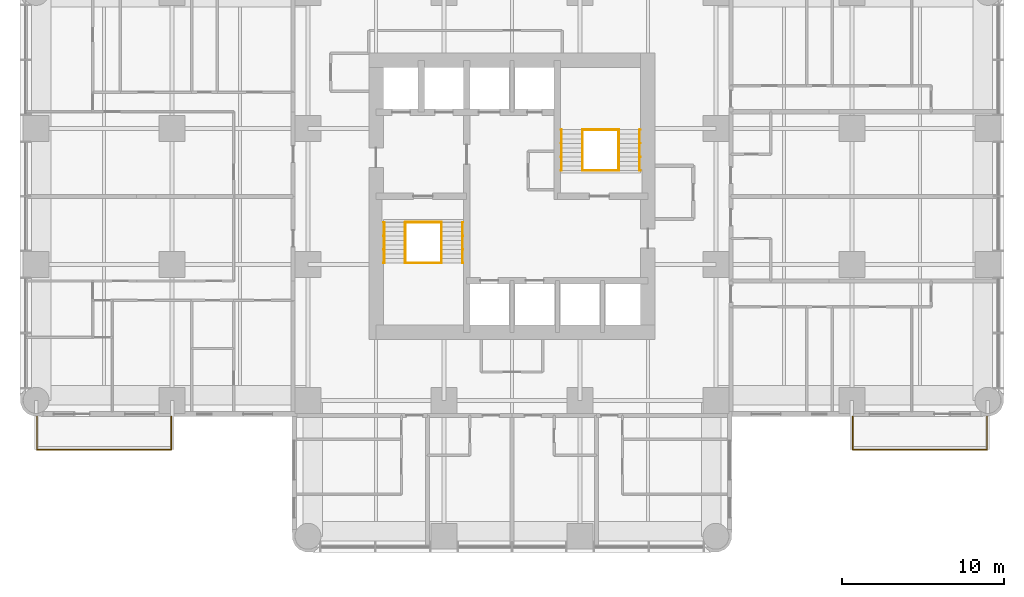
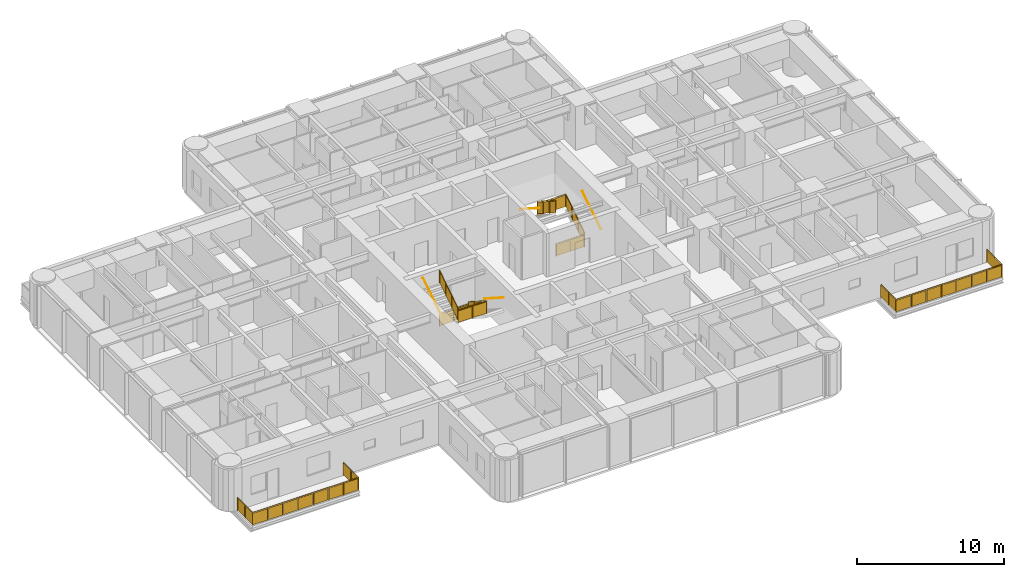
# One storey, part 13 of 14: 14 railings.
"""IFC4 building model written with IfcOpenShell, lengths in metres."""

from ifc_helpers import new_model, si_unit, direction, frame, origin, origin_2d, place, context, subcontext, project, spatial, polyline, circle, outline, extrude, material, constituent, constituent_set, type_object, element, save


model = new_model("IFC4")

# Units and contexts
model_context = context("Model", 3, precision=1e-05, world=origin(), true_north=direction((0.0, 1.0)))
body_context = subcontext(model_context, "Body", "Model", "MODEL_VIEW")
ifc_project = project(units=[si_unit("LENGTHUNIT", "METRE"), si_unit("AREAUNIT", "SQUARE_METRE"), si_unit("VOLUMEUNIT", "CUBIC_METRE"), si_unit("PLANEANGLEUNIT", "RADIAN"), si_unit("MASSUNIT", "GRAM", prefix="KILO")], contexts=[model_context])

# Site, building, storey
site_placement = place(None, origin())
site = spatial("IfcSite", under=ifc_project, at=site_placement, CompositionType="ELEMENT")
building_placement = place(site_placement, origin())
building = spatial("IfcBuilding", under=site, at=building_placement, Name="Torre Alcanfor", CompositionType="ELEMENT")
storey_placement = place(building_placement, frame((0.0, 0.0, 155.699951171875)))
storey = spatial("IfcBuildingStorey", under=building, at=storey_placement, Name="L40", CompositionType="ELEMENT", Elevation=155.699951171875)

# Railings
ifc_material_1 = material(Name="Laminated safety glass", Category="glass")
ifc_constituent_1 = constituent(ifc_material_1, Name="Infill")
ifc_material_2 = material(Name="Stainless steel ASTM A554 Grade MT 316L tube", Category="steel")
ifc_constituent_2 = constituent(ifc_material_2, Name="Posts and rail")
ifc_constituent_set = constituent_set(constituents=[ifc_constituent_1, ifc_constituent_2], Name="Balcony guard glass 1100")
railing_type_1 = type_object("IfcRailingType", Name="Balcony guard glass 1100", PredefinedType="BALUSTRADE", material=ifc_constituent_set)
railing_1_placement = place(storey_placement, frame((50.449951171875, 15.800048828125, 0.0)))
element("IfcRailing", 1, at=railing_1_placement, inside=storey, type_object=railing_type_1, Name="Balcony guard L40-E2", PredefinedType="BALUSTRADE", context=body_context, shape_type="SweptSolid", body=[
    extrude(circle(Radius=0.02392578125, at=origin_2d()), frame((0.0, 0.0, 1.076171875), z_axis=(0.0, -1.0, 0.0), x_axis=(1.0, 0.0, 0.0)), (0.0, 0.0, 1.0), 2.050048828125),
    extrude(circle(Radius=0.02392578125, at=origin_2d()), frame((0.0, -2.050048828125, 1.076171875), z_axis=(1.0, 0.0, 0.0), x_axis=(0.0, 1.0, 0.0)), (0.0, 0.0, 1.0), 8.300048828125),
    extrude(circle(Radius=0.02392578125, at=origin_2d()), frame((8.300048828125, -2.050048828125, 1.076171875), z_axis=(0.0, 1.0, 0.0), x_axis=(-1.0, 0.0, 0.0)), (0.0, 0.0, 1.0), 2.050048828125),
    extrude(circle(Radius=0.02099609375, at=origin_2d()), origin(), (0.0, 0.0, 1.0), 1.052001953125),
    extrude(circle(Radius=0.02099609375, at=origin_2d()), frame((0.0, -1.02490234375, 0.0)), (0.0, 0.0, 1.0), 1.052001953125),
    extrude(circle(Radius=0.02099609375, at=origin_2d()), frame((0.0, -2.050048828125, 0.0)), (0.0, 0.0, 1.0), 1.052001953125),
    extrude(circle(Radius=0.02099609375, at=origin_2d()), frame((1.185791015625, -2.050048828125, 0.0)), (0.0, 0.0, 1.0), 1.052001953125),
    extrude(circle(Radius=0.02099609375, at=origin_2d()), frame((2.371337890625, -2.050048828125, 0.0)), (0.0, 0.0, 1.0), 1.052001953125),
    extrude(circle(Radius=0.02099609375, at=origin_2d()), frame((3.55712890625, -2.050048828125, 0.0)), (0.0, 0.0, 1.0), 1.052001953125),
    extrude(circle(Radius=0.02099609375, at=origin_2d()), frame((4.742919921875, -2.050048828125, 0.0)), (0.0, 0.0, 1.0), 1.052001953125),
    extrude(circle(Radius=0.02099609375, at=origin_2d()), frame((5.9287109375, -2.050048828125, 0.0)), (0.0, 0.0, 1.0), 1.052001953125),
    extrude(circle(Radius=0.02099609375, at=origin_2d()), frame((7.1142578125, -2.050048828125, 0.0)), (0.0, 0.0, 1.0), 1.052001953125),
    extrude(circle(Radius=0.02099609375, at=origin_2d()), frame((8.300048828125, -2.050048828125, 0.0)), (0.0, 0.0, 1.0), 1.052001953125),
    extrude(circle(Radius=0.02099609375, at=origin_2d()), frame((8.300048828125, -1.02490234375, 0.0)), (0.0, 0.0, 1.0), 1.052001953125),
    extrude(circle(Radius=0.02099609375, at=origin_2d()), frame((8.300048828125, 0.0, 0.0)), (0.0, 0.0, 1.0), 1.052001953125),
    extrude(outline(polyline([(0.041015625, 0.050048828125), (0.984130859375, 0.050048828125), (0.984130859375, 1.001953125), (0.041015625, 1.001953125), (0.041015625, 0.050048828125)])), frame((0.005859375, 0.0, 0.0), z_axis=(-1.0, 0.0, 0.0), x_axis=(0.0, -1.0, 0.0)), (0.0, 0.0, 1.0), 0.011962890625),
    extrude(outline(polyline([(1.06591796875, 0.050048828125), (2.009033203125, 0.050048828125), (2.009033203125, 1.001953125), (1.06591796875, 1.001953125), (1.06591796875, 0.050048828125)])), frame((0.005859375, 0.0, 0.0), z_axis=(-1.0, 0.0, 0.0), x_axis=(0.0, -1.0, 0.0)), (0.0, 0.0, 1.0), 0.011962890625),
    extrude(outline(polyline([(0.041015625, 0.050048828125), (1.144775390625, 0.050048828125), (1.144775390625, 1.001953125), (0.041015625, 1.001953125), (0.041015625, 0.050048828125)])), frame((0.0, -2.0439453125, 0.0), z_axis=(0.0, -1.0, 0.0), x_axis=(1.0, 0.0, 0.0)), (0.0, 0.0, 1.0), 0.011962890625),
    extrude(outline(polyline([(1.226806640625, 0.050048828125), (2.330322265625, 0.050048828125), (2.330322265625, 1.001953125), (1.226806640625, 1.001953125), (1.226806640625, 0.050048828125)])), frame((0.0, -2.0439453125, 0.0), z_axis=(0.0, -1.0, 0.0), x_axis=(1.0, 0.0, 0.0)), (0.0, 0.0, 1.0), 0.011962890625),
    extrude(outline(polyline([(2.412353515625, 0.050048828125), (3.51611328125, 0.050048828125), (3.51611328125, 1.001953125), (2.412353515625, 1.001953125), (2.412353515625, 0.050048828125)])), frame((0.0, -2.0439453125, 0.0), z_axis=(0.0, -1.0, 0.0), x_axis=(1.0, 0.0, 0.0)), (0.0, 0.0, 1.0), 0.011962890625),
    extrude(outline(polyline([(3.59814453125, 0.050048828125), (4.701904296875, 0.050048828125), (4.701904296875, 1.001953125), (3.59814453125, 1.001953125), (3.59814453125, 0.050048828125)])), frame((0.0, -2.0439453125, 0.0), z_axis=(0.0, -1.0, 0.0), x_axis=(1.0, 0.0, 0.0)), (0.0, 0.0, 1.0), 0.011962890625),
    extrude(outline(polyline([(4.783935546875, 0.050048828125), (5.8876953125, 0.050048828125), (5.8876953125, 1.001953125), (4.783935546875, 1.001953125), (4.783935546875, 0.050048828125)])), frame((0.0, -2.0439453125, 0.0), z_axis=(0.0, -1.0, 0.0), x_axis=(1.0, 0.0, 0.0)), (0.0, 0.0, 1.0), 0.011962890625),
    extrude(outline(polyline([(5.9697265625, 0.050048828125), (7.0732421875, 0.050048828125), (7.0732421875, 1.001953125), (5.9697265625, 1.001953125), (5.9697265625, 0.050048828125)])), frame((0.0, -2.0439453125, 0.0), z_axis=(0.0, -1.0, 0.0), x_axis=(1.0, 0.0, 0.0)), (0.0, 0.0, 1.0), 0.011962890625),
    extrude(outline(polyline([(7.1552734375, 0.050048828125), (8.259033203125, 0.050048828125), (8.259033203125, 1.001953125), (7.1552734375, 1.001953125), (7.1552734375, 0.050048828125)])), frame((0.0, -2.0439453125, 0.0), z_axis=(0.0, -1.0, 0.0), x_axis=(1.0, 0.0, 0.0)), (0.0, 0.0, 1.0), 0.011962890625),
    extrude(outline(polyline([(0.041015625, 0.050048828125), (0.984130859375, 0.050048828125), (0.984130859375, 1.001953125), (0.041015625, 1.001953125), (0.041015625, 0.050048828125)])), frame((8.2939453125, -2.050048828125, 0.0), z_axis=(1.0, 0.0, 0.0), x_axis=(0.0, 1.0, 0.0)), (0.0, 0.0, 1.0), 0.011962890625),
    extrude(outline(polyline([(1.06591796875, 0.050048828125), (2.009033203125, 0.050048828125), (2.009033203125, 1.001953125), (1.06591796875, 1.001953125), (1.06591796875, 0.050048828125)])), frame((8.2939453125, -2.050048828125, 0.0), z_axis=(1.0, 0.0, 0.0), x_axis=(0.0, 1.0, 0.0)), (0.0, 0.0, 1.0), 0.011962890625),
])
railing_2_placement = place(storey_placement, frame((8.35009765625, 15.800048828125, 0.0)))
element("IfcRailing", 2, at=railing_2_placement, inside=storey, type_object=railing_type_1, Name="Balcony guard L40-W1", PredefinedType="BALUSTRADE", context=body_context, shape_type="SweptSolid", body=[
    extrude(circle(Radius=0.02392578125, at=origin_2d()), frame((0.0, 0.0, 1.076171875), z_axis=(0.0, -1.0, 0.0), x_axis=(1.0, 0.0, 0.0)), (0.0, 0.0, 1.0), 2.050048828125),
    extrude(circle(Radius=0.02392578125, at=origin_2d()), frame((0.0, -2.050048828125, 1.076171875), z_axis=(-1.0, 0.0, 0.0), x_axis=(0.0, -1.0, 0.0)), (0.0, 0.0, 1.0), 8.300048828125),
    extrude(circle(Radius=0.02392578125, at=origin_2d()), frame((-8.300048828125, -2.050048828125, 1.076171875), z_axis=(0.0, 1.0, 0.0), x_axis=(-1.0, 0.0, 0.0)), (0.0, 0.0, 1.0), 2.050048828125),
    extrude(circle(Radius=0.02099609375, at=origin_2d()), origin(), (0.0, 0.0, 1.0), 1.052001953125),
    extrude(circle(Radius=0.02099609375, at=origin_2d()), frame((0.0, -1.02490234375, 0.0)), (0.0, 0.0, 1.0), 1.052001953125),
    extrude(circle(Radius=0.02099609375, at=origin_2d()), frame((0.0, -2.050048828125, 0.0)), (0.0, 0.0, 1.0), 1.052001953125),
    extrude(circle(Radius=0.02099609375, at=origin_2d()), frame((-1.185791015625, -2.050048828125, 0.0)), (0.0, 0.0, 1.0), 1.052001953125),
    extrude(circle(Radius=0.02099609375, at=origin_2d()), frame((-2.371337890625, -2.050048828125, 0.0)), (0.0, 0.0, 1.0), 1.052001953125),
    extrude(circle(Radius=0.02099609375, at=origin_2d()), frame((-3.55712890625, -2.050048828125, 0.0)), (0.0, 0.0, 1.0), 1.052001953125),
    extrude(circle(Radius=0.02099609375, at=origin_2d()), frame((-4.742919921875, -2.050048828125, 0.0)), (0.0, 0.0, 1.0), 1.052001953125),
    extrude(circle(Radius=0.02099609375, at=origin_2d()), frame((-5.9287109375, -2.050048828125, 0.0)), (0.0, 0.0, 1.0), 1.052001953125),
    extrude(circle(Radius=0.02099609375, at=origin_2d()), frame((-7.1142578125, -2.050048828125, 0.0)), (0.0, 0.0, 1.0), 1.052001953125),
    extrude(circle(Radius=0.02099609375, at=origin_2d()), frame((-8.300048828125, -2.050048828125, 0.0)), (0.0, 0.0, 1.0), 1.052001953125),
    extrude(circle(Radius=0.02099609375, at=origin_2d()), frame((-8.300048828125, -1.02490234375, 0.0)), (0.0, 0.0, 1.0), 1.052001953125),
    extrude(circle(Radius=0.02099609375, at=origin_2d()), frame((-8.300048828125, 0.0, 0.0)), (0.0, 0.0, 1.0), 1.052001953125),
    extrude(outline(polyline([(0.041015625, 0.050048828125), (0.984130859375, 0.050048828125), (0.984130859375, 1.001953125), (0.041015625, 1.001953125), (0.041015625, 0.050048828125)])), frame((0.005859375, 0.0, 0.0), z_axis=(-1.0, 0.0, 0.0), x_axis=(0.0, -1.0, 0.0)), (0.0, 0.0, 1.0), 0.011962890625),
    extrude(outline(polyline([(1.06591796875, 0.050048828125), (2.009033203125, 0.050048828125), (2.009033203125, 1.001953125), (1.06591796875, 1.001953125), (1.06591796875, 0.050048828125)])), frame((0.005859375, 0.0, 0.0), z_axis=(-1.0, 0.0, 0.0), x_axis=(0.0, -1.0, 0.0)), (0.0, 0.0, 1.0), 0.011962890625),
    extrude(outline(polyline([(0.041015625, 0.050048828125), (1.144775390625, 0.050048828125), (1.144775390625, 1.001953125), (0.041015625, 1.001953125), (0.041015625, 0.050048828125)])), frame((0.0, -2.05615234375, 0.0), z_axis=(0.0, 1.0, 0.0), x_axis=(-1.0, 0.0, 0.0)), (0.0, 0.0, 1.0), 0.011962890625),
    extrude(outline(polyline([(1.226806640625, 0.050048828125), (2.330322265625, 0.050048828125), (2.330322265625, 1.001953125), (1.226806640625, 1.001953125), (1.226806640625, 0.050048828125)])), frame((0.0, -2.05615234375, 0.0), z_axis=(0.0, 1.0, 0.0), x_axis=(-1.0, 0.0, 0.0)), (0.0, 0.0, 1.0), 0.011962890625),
    extrude(outline(polyline([(2.412353515625, 0.050048828125), (3.51611328125, 0.050048828125), (3.51611328125, 1.001953125), (2.412353515625, 1.001953125), (2.412353515625, 0.050048828125)])), frame((0.0, -2.05615234375, 0.0), z_axis=(0.0, 1.0, 0.0), x_axis=(-1.0, 0.0, 0.0)), (0.0, 0.0, 1.0), 0.011962890625),
    extrude(outline(polyline([(3.59814453125, 0.050048828125), (4.701904296875, 0.050048828125), (4.701904296875, 1.001953125), (3.59814453125, 1.001953125), (3.59814453125, 0.050048828125)])), frame((0.0, -2.05615234375, 0.0), z_axis=(0.0, 1.0, 0.0), x_axis=(-1.0, 0.0, 0.0)), (0.0, 0.0, 1.0), 0.011962890625),
    extrude(outline(polyline([(4.783935546875, 0.050048828125), (5.8876953125, 0.050048828125), (5.8876953125, 1.001953125), (4.783935546875, 1.001953125), (4.783935546875, 0.050048828125)])), frame((0.0, -2.05615234375, 0.0), z_axis=(0.0, 1.0, 0.0), x_axis=(-1.0, 0.0, 0.0)), (0.0, 0.0, 1.0), 0.011962890625),
    extrude(outline(polyline([(5.9697265625, 0.050048828125), (7.0732421875, 0.050048828125), (7.0732421875, 1.001953125), (5.9697265625, 1.001953125), (5.9697265625, 0.050048828125)])), frame((0.0, -2.05615234375, 0.0), z_axis=(0.0, 1.0, 0.0), x_axis=(-1.0, 0.0, 0.0)), (0.0, 0.0, 1.0), 0.011962890625),
    extrude(outline(polyline([(7.1552734375, 0.050048828125), (8.259033203125, 0.050048828125), (8.259033203125, 1.001953125), (7.1552734375, 1.001953125), (7.1552734375, 0.050048828125)])), frame((0.0, -2.05615234375, 0.0), z_axis=(0.0, 1.0, 0.0), x_axis=(-1.0, 0.0, 0.0)), (0.0, 0.0, 1.0), 0.011962890625),
    extrude(outline(polyline([(0.041015625, 0.050048828125), (0.984130859375, 0.050048828125), (0.984130859375, 1.001953125), (0.041015625, 1.001953125), (0.041015625, 0.050048828125)])), frame((-8.30615234375, -2.050048828125, 0.0), z_axis=(1.0, 0.0, 0.0), x_axis=(0.0, 1.0, 0.0)), (0.0, 0.0, 1.0), 0.011962890625),
    extrude(outline(polyline([(1.06591796875, 0.050048828125), (2.009033203125, 0.050048828125), (2.009033203125, 1.001953125), (1.06591796875, 1.001953125), (1.06591796875, 0.050048828125)])), frame((-8.30615234375, -2.050048828125, 0.0), z_axis=(1.0, 0.0, 0.0), x_axis=(0.0, 1.0, 0.0)), (0.0, 0.0, 1.0), 0.011962890625),
])
ifc_material_3 = material(Name="Steel ASTM A500 Grade C hollow sections", Category="steel")
railing_type_2 = type_object("IfcRailingType", Name="Stair guard and handrail 1100", PredefinedType="GUARDRAIL", material=ifc_material_3)
railing_3_placement = place(storey_placement, frame((25.050048828125, 27.800048828125, 0.179931640625)))
element("IfcRailing", 3, at=railing_3_placement, inside=storey, type_object=railing_type_2, Name="Stair guard S1 L40 flight 1", PredefinedType="GUARDRAIL", context=body_context, shape_type="SweptSolid", body=[
    extrude(circle(Radius=0.02392578125, at=origin_2d()), frame((0.0, 0.0, 1.076171875), z_axis=(0.0, -0.841162588446, 0.540782303519), x_axis=(1.0, 0.0, 0.0)), (0.0, 0.0, 1.0), 2.995849609375),
    extrude(circle(Radius=0.02099609375, at=origin_2d()), origin(), (0.0, 0.0, 1.0), 1.052001953125),
    extrude(circle(Radius=0.02099609375, at=origin_2d()), frame((0.0, -0.840087890625, 0.5400390625)), (0.0, 0.0, 1.0), 1.052001953125),
    extrude(circle(Radius=0.02099609375, at=origin_2d()), frame((0.0, -1.679931640625, 1.080078125)), (0.0, 0.0, 1.0), 1.052001953125),
    extrude(circle(Radius=0.02099609375, at=origin_2d()), frame((0.0, -2.52001953125, 1.6201171875)), (0.0, 0.0, 1.0), 1.052001953125),
    extrude(outline(polyline([(0.041015625, 0.076416015625), (0.799072265625, 0.563720703125), (0.799072265625, 1.515625), (0.041015625, 1.0283203125), (0.041015625, 0.076416015625)])), frame((0.005859375, 0.0, 0.0), z_axis=(-1.0, 0.0, 0.0), x_axis=(0.0, -1.0, 0.0)), (0.0, 0.0, 1.0), 0.011962890625),
    extrude(outline(polyline([(0.881103515625, 0.616455078125), (1.638916015625, 1.103759765625), (1.638916015625, 2.0556640625), (0.881103515625, 1.568359375), (0.881103515625, 0.616455078125)])), frame((0.005859375, 0.0, 0.0), z_axis=(-1.0, 0.0, 0.0), x_axis=(0.0, -1.0, 0.0)), (0.0, 0.0, 1.0), 0.011962890625),
    extrude(outline(polyline([(1.720947265625, 1.156494140625), (2.47900390625, 1.643798828125), (2.47900390625, 2.595703125), (1.720947265625, 2.1083984375), (1.720947265625, 1.156494140625)])), frame((0.005859375, 0.0, 0.0), z_axis=(-1.0, 0.0, 0.0), x_axis=(0.0, -1.0, 0.0)), (0.0, 0.0, 1.0), 0.011962890625),
])
railing_4_placement = place(storey_placement, frame((22.800048828125, 25.280029296875, 1.97998046875)))
element("IfcRailing", 4, at=railing_4_placement, inside=storey, type_object=railing_type_2, Name="Stair guard S1 L40 flight 2", PredefinedType="GUARDRAIL", context=body_context, shape_type="SweptSolid", body=[
    extrude(circle(Radius=0.02392578125, at=origin_2d()), frame((0.0, 0.0, 1.076171875), z_axis=(0.0, 0.841162588446, 0.540782303519), x_axis=(-1.0, 0.0, 0.0)), (0.0, 0.0, 1.0), 2.995849609375),
    extrude(circle(Radius=0.02099609375, at=origin_2d()), origin(), (0.0, 0.0, 1.0), 1.052001953125),
    extrude(circle(Radius=0.02099609375, at=origin_2d()), frame((0.0, 0.840087890625, 0.5400390625)), (0.0, 0.0, 1.0), 1.052001953125),
    extrude(circle(Radius=0.02099609375, at=origin_2d()), frame((0.0, 1.679931640625, 1.080078125)), (0.0, 0.0, 1.0), 1.052001953125),
    extrude(circle(Radius=0.02099609375, at=origin_2d()), frame((0.0, 2.52001953125, 1.6201171875)), (0.0, 0.0, 1.0), 1.052001953125),
    extrude(outline(polyline([(0.041015625, 0.076416015625), (0.799072265625, 0.563720703125), (0.799072265625, 1.515625), (0.041015625, 1.0283203125), (0.041015625, 0.076416015625)])), frame((-0.005859375, 0.0, 0.0), z_axis=(1.0, 0.0, 0.0), x_axis=(0.0, 1.0, 0.0)), (0.0, 0.0, 1.0), 0.011962890625),
    extrude(outline(polyline([(0.881103515625, 0.616455078125), (1.638916015625, 1.103759765625), (1.638916015625, 2.0556640625), (0.881103515625, 1.568359375), (0.881103515625, 0.616455078125)])), frame((-0.005859375, 0.0, 0.0), z_axis=(1.0, 0.0, 0.0), x_axis=(0.0, 1.0, 0.0)), (0.0, 0.0, 1.0), 0.011962890625),
    extrude(outline(polyline([(1.720947265625, 1.156494140625), (2.47900390625, 1.643798828125), (2.47900390625, 2.595703125), (1.720947265625, 2.1083984375), (1.720947265625, 1.156494140625)])), frame((-0.005859375, 0.0, 0.0), z_axis=(1.0, 0.0, 0.0), x_axis=(0.0, 1.0, 0.0)), (0.0, 0.0, 1.0), 0.011962890625),
])
for number, where, name in (
    (5, (22.800048828125, 27.800048828125, 0.0), "Stair well guard S1 L40 floor landing"),
    (6, (22.800048828125, 25.280029296875, 1.800048828125), "Stair well guard S1 L40 half landing"),
):
    element("IfcRailing", number, at=place(storey_placement, frame(where)), inside=storey, type_object=railing_type_2, Name=name, PredefinedType="GUARDRAIL", context=body_context, shape_type="SweptSolid", body=[
        extrude(circle(Radius=0.02392578125, at=origin_2d()), frame((0.0, 0.0, 1.076171875), z_axis=(1.0, 0.0, 0.0), x_axis=(0.0, 1.0, 0.0)), (0.0, 0.0, 1.0), 2.25),
        extrude(circle(Radius=0.02099609375, at=origin_2d()), origin(), (0.0, 0.0, 1.0), 1.052001953125),
        extrude(circle(Radius=0.02099609375, at=origin_2d()), frame((1.125, 0.0, 0.0)), (0.0, 0.0, 1.0), 1.052001953125),
        extrude(circle(Radius=0.02099609375, at=origin_2d()), frame((2.25, 0.0, 0.0)), (0.0, 0.0, 1.0), 1.052001953125),
        extrude(outline(polyline([(0.041015625, 0.050048828125), (1.083984375, 0.050048828125), (1.083984375, 1.001953125), (0.041015625, 1.001953125), (0.041015625, 0.050048828125)])), frame((0.0, 0.005859375, 0.0), z_axis=(0.0, -1.0, 0.0), x_axis=(1.0, 0.0, 0.0)), (0.0, 0.0, 1.0), 0.011962890625),
        extrude(outline(polyline([(1.166015625, 0.050048828125), (2.208984375, 0.050048828125), (2.208984375, 1.001953125), (1.166015625, 1.001953125), (1.166015625, 0.050048828125)])), frame((0.0, 0.005859375, 0.0), z_axis=(0.0, -1.0, 0.0), x_axis=(1.0, 0.0, 0.0)), (0.0, 0.0, 1.0), 0.011962890625),
    ])
railing_5_placement = place(storey_placement, frame((36.0, 31.0, 0.179931640625)))
element("IfcRailing", 7, at=railing_5_placement, inside=storey, type_object=railing_type_2, Name="Stair guard S2 L40 flight 1", PredefinedType="GUARDRAIL", context=body_context, shape_type="SweptSolid", body=[
    extrude(circle(Radius=0.02392578125, at=origin_2d()), frame((0.0, 0.0, 1.076171875), z_axis=(0.0, 0.841162588446, 0.540782303519), x_axis=(-1.0, 0.0, 0.0)), (0.0, 0.0, 1.0), 2.995849609375),
    extrude(circle(Radius=0.02099609375, at=origin_2d()), origin(), (0.0, 0.0, 1.0), 1.052001953125),
    extrude(circle(Radius=0.02099609375, at=origin_2d()), frame((0.0, 0.840087890625, 0.5400390625)), (0.0, 0.0, 1.0), 1.052001953125),
    extrude(circle(Radius=0.02099609375, at=origin_2d()), frame((0.0, 1.679931640625, 1.080078125)), (0.0, 0.0, 1.0), 1.052001953125),
    extrude(circle(Radius=0.02099609375, at=origin_2d()), frame((0.0, 2.52001953125, 1.6201171875)), (0.0, 0.0, 1.0), 1.052001953125),
    extrude(outline(polyline([(0.041015625, 0.076416015625), (0.799072265625, 0.563720703125), (0.799072265625, 1.515625), (0.041015625, 1.0283203125), (0.041015625, 0.076416015625)])), frame((-0.005859375, 0.0, 0.0), z_axis=(1.0, 0.0, 0.0), x_axis=(0.0, 1.0, 0.0)), (0.0, 0.0, 1.0), 0.011962890625),
    extrude(outline(polyline([(0.881103515625, 0.616455078125), (1.638916015625, 1.103759765625), (1.638916015625, 2.0556640625), (0.881103515625, 1.568359375), (0.881103515625, 0.616455078125)])), frame((-0.005859375, 0.0, 0.0), z_axis=(1.0, 0.0, 0.0), x_axis=(0.0, 1.0, 0.0)), (0.0, 0.0, 1.0), 0.011962890625),
    extrude(outline(polyline([(1.720947265625, 1.156494140625), (2.47900390625, 1.643798828125), (2.47900390625, 2.595703125), (1.720947265625, 2.1083984375), (1.720947265625, 1.156494140625)])), frame((-0.005859375, 0.0, 0.0), z_axis=(1.0, 0.0, 0.0), x_axis=(0.0, 1.0, 0.0)), (0.0, 0.0, 1.0), 0.011962890625),
])
railing_6_placement = place(storey_placement, frame((33.75, 33.52001953125, 1.97998046875)))
element("IfcRailing", 8, at=railing_6_placement, inside=storey, type_object=railing_type_2, Name="Stair guard S2 L40 flight 2", PredefinedType="GUARDRAIL", context=body_context, shape_type="SweptSolid", body=[
    extrude(circle(Radius=0.02392578125, at=origin_2d()), frame((0.0, 0.0, 1.076171875), z_axis=(0.0, -0.841162588446, 0.540782303519), x_axis=(1.0, 0.0, 0.0)), (0.0, 0.0, 1.0), 2.995849609375),
    extrude(circle(Radius=0.02099609375, at=origin_2d()), origin(), (0.0, 0.0, 1.0), 1.052001953125),
    extrude(circle(Radius=0.02099609375, at=origin_2d()), frame((0.0, -0.840087890625, 0.5400390625)), (0.0, 0.0, 1.0), 1.052001953125),
    extrude(circle(Radius=0.02099609375, at=origin_2d()), frame((0.0, -1.679931640625, 1.080078125)), (0.0, 0.0, 1.0), 1.052001953125),
    extrude(circle(Radius=0.02099609375, at=origin_2d()), frame((0.0, -2.52001953125, 1.6201171875)), (0.0, 0.0, 1.0), 1.052001953125),
    extrude(outline(polyline([(0.041015625, 0.076416015625), (0.799072265625, 0.563720703125), (0.799072265625, 1.515625), (0.041015625, 1.0283203125), (0.041015625, 0.076416015625)])), frame((0.005859375, 0.0, 0.0), z_axis=(-1.0, 0.0, 0.0), x_axis=(0.0, -1.0, 0.0)), (0.0, 0.0, 1.0), 0.011962890625),
    extrude(outline(polyline([(0.881103515625, 0.616455078125), (1.638916015625, 1.103759765625), (1.638916015625, 2.0556640625), (0.881103515625, 1.568359375), (0.881103515625, 0.616455078125)])), frame((0.005859375, 0.0, 0.0), z_axis=(-1.0, 0.0, 0.0), x_axis=(0.0, -1.0, 0.0)), (0.0, 0.0, 1.0), 0.011962890625),
    extrude(outline(polyline([(1.720947265625, 1.156494140625), (2.47900390625, 1.643798828125), (2.47900390625, 2.595703125), (1.720947265625, 2.1083984375), (1.720947265625, 1.156494140625)])), frame((0.005859375, 0.0, 0.0), z_axis=(-1.0, 0.0, 0.0), x_axis=(0.0, -1.0, 0.0)), (0.0, 0.0, 1.0), 0.011962890625),
])
for number, where, name in (
    (9, (33.75, 31.0, 0.0), "Stair well guard S2 L40 floor landing"),
    (10, (33.75, 33.52001953125, 1.800048828125), "Stair well guard S2 L40 half landing"),
):
    element("IfcRailing", number, at=place(storey_placement, frame(where)), inside=storey, type_object=railing_type_2, Name=name, PredefinedType="GUARDRAIL", context=body_context, shape_type="SweptSolid", body=[
        extrude(circle(Radius=0.02392578125, at=origin_2d()), frame((0.0, 0.0, 1.076171875), z_axis=(1.0, 0.0, 0.0), x_axis=(0.0, 1.0, 0.0)), (0.0, 0.0, 1.0), 2.25),
        extrude(circle(Radius=0.02099609375, at=origin_2d()), origin(), (0.0, 0.0, 1.0), 1.052001953125),
        extrude(circle(Radius=0.02099609375, at=origin_2d()), frame((1.125, 0.0, 0.0)), (0.0, 0.0, 1.0), 1.052001953125),
        extrude(circle(Radius=0.02099609375, at=origin_2d()), frame((2.25, 0.0, 0.0)), (0.0, 0.0, 1.0), 1.052001953125),
        extrude(outline(polyline([(0.041015625, 0.050048828125), (1.083984375, 0.050048828125), (1.083984375, 1.001953125), (0.041015625, 1.001953125), (0.041015625, 0.050048828125)])), frame((0.0, 0.005859375, 0.0), z_axis=(0.0, -1.0, 0.0), x_axis=(1.0, 0.0, 0.0)), (0.0, 0.0, 1.0), 0.011962890625),
        extrude(outline(polyline([(1.166015625, 0.050048828125), (2.208984375, 0.050048828125), (2.208984375, 1.001953125), (1.166015625, 1.001953125), (1.166015625, 0.050048828125)])), frame((0.0, 0.005859375, 0.0), z_axis=(0.0, -1.0, 0.0), x_axis=(1.0, 0.0, 0.0)), (0.0, 0.0, 1.0), 0.011962890625),
    ])
ifc_material_4 = material(Name="Steel ASTM A500 Grade C hollow sections", Category="steel")
railing_type_3 = type_object("IfcRailingType", Name="Stair wall handrail 900", PredefinedType="HANDRAIL", material=ifc_material_4)
railing_7_placement = place(storey_placement, frame((26.3349609375, 27.800048828125, 0.179931640625)))
element("IfcRailing", 11, at=railing_7_placement, inside=storey, type_object=railing_type_3, Name="Stair handrail S1 L40 flight 1", PredefinedType="HANDRAIL", context=body_context, shape_type="SweptSolid", body=[
    extrude(circle(Radius=0.02392578125, at=origin_2d()), frame((0.0, 0.0, 0.8759765625), z_axis=(0.0, -0.841162588446, 0.540782303519), x_axis=(1.0, 0.0, 0.0)), (0.0, 0.0, 1.0), 2.995849609375),
    extrude(circle(Radius=0.008056640625, at=origin_2d()), frame((0.0, 0.0, 0.8759765625), z_axis=(1.0, 0.0, 0.0), x_axis=(0.0, 0.0, 1.0)), (0.0, 0.0, 1.0), 0.06494140625),
    extrude(circle(Radius=0.008056640625, at=origin_2d()), frame((0.0, -0.840087890625, 1.416015625), z_axis=(1.0, 0.0, 0.0), x_axis=(0.0, 0.0, 1.0)), (0.0, 0.0, 1.0), 0.06494140625),
    extrude(circle(Radius=0.008056640625, at=origin_2d()), frame((0.0, -1.679931640625, 1.9560546875), z_axis=(1.0, 0.0, 0.0), x_axis=(0.0, 0.0, 1.0)), (0.0, 0.0, 1.0), 0.06494140625),
    extrude(circle(Radius=0.008056640625, at=origin_2d()), frame((0.0, -2.52001953125, 2.49609375), z_axis=(1.0, 0.0, 0.0), x_axis=(0.0, 0.0, 1.0)), (0.0, 0.0, 1.0), 0.06494140625),
])
railing_8_placement = place(storey_placement, frame((21.514892578125, 25.280029296875, 1.97998046875)))
element("IfcRailing", 12, at=railing_8_placement, inside=storey, type_object=railing_type_3, Name="Stair handrail S1 L40 flight 2", PredefinedType="HANDRAIL", context=body_context, shape_type="SweptSolid", body=[
    extrude(circle(Radius=0.02392578125, at=origin_2d()), frame((0.0, 0.0, 0.8759765625), z_axis=(0.0, 0.841162588446, 0.540782303519), x_axis=(-1.0, 0.0, 0.0)), (0.0, 0.0, 1.0), 2.995849609375),
    extrude(circle(Radius=0.008056640625, at=origin_2d()), frame((0.0, 0.0, 0.8759765625), z_axis=(-1.0, 0.0, 0.0), x_axis=(0.0, 0.0, 1.0)), (0.0, 0.0, 1.0), 0.06494140625),
    extrude(circle(Radius=0.008056640625, at=origin_2d()), frame((0.0, 0.840087890625, 1.416015625), z_axis=(-1.0, 0.0, 0.0), x_axis=(0.0, 0.0, 1.0)), (0.0, 0.0, 1.0), 0.06494140625),
    extrude(circle(Radius=0.008056640625, at=origin_2d()), frame((0.0, 1.679931640625, 1.9560546875), z_axis=(-1.0, 0.0, 0.0), x_axis=(0.0, 0.0, 1.0)), (0.0, 0.0, 1.0), 0.06494140625),
    extrude(circle(Radius=0.008056640625, at=origin_2d()), frame((0.0, 2.52001953125, 2.49609375), z_axis=(-1.0, 0.0, 0.0), x_axis=(0.0, 0.0, 1.0)), (0.0, 0.0, 1.0), 0.06494140625),
])
railing_9_placement = place(storey_placement, frame((37.284912109375, 31.0, 0.179931640625)))
element("IfcRailing", 13, at=railing_9_placement, inside=storey, type_object=railing_type_3, Name="Stair handrail S2 L40 flight 1", PredefinedType="HANDRAIL", context=body_context, shape_type="SweptSolid", body=[
    extrude(circle(Radius=0.02392578125, at=origin_2d()), frame((0.0, 0.0, 0.8759765625), z_axis=(0.0, 0.841162588446, 0.540782303519), x_axis=(-1.0, 0.0, 0.0)), (0.0, 0.0, 1.0), 2.995849609375),
    extrude(circle(Radius=0.008056640625, at=origin_2d()), frame((0.0, 0.0, 0.8759765625), z_axis=(1.0, 0.0, 0.0), x_axis=(0.0, 0.0, 1.0)), (0.0, 0.0, 1.0), 0.06494140625),
    extrude(circle(Radius=0.008056640625, at=origin_2d()), frame((0.0, 0.840087890625, 1.416015625), z_axis=(1.0, 0.0, 0.0), x_axis=(0.0, 0.0, 1.0)), (0.0, 0.0, 1.0), 0.06494140625),
    extrude(circle(Radius=0.008056640625, at=origin_2d()), frame((0.0, 1.679931640625, 1.9560546875), z_axis=(1.0, 0.0, 0.0), x_axis=(0.0, 0.0, 1.0)), (0.0, 0.0, 1.0), 0.06494140625),
    extrude(circle(Radius=0.008056640625, at=origin_2d()), frame((0.0, 2.52001953125, 2.49609375), z_axis=(1.0, 0.0, 0.0), x_axis=(0.0, 0.0, 1.0)), (0.0, 0.0, 1.0), 0.06494140625),
])
railing_10_placement = place(storey_placement, frame((32.465087890625, 33.52001953125, 1.97998046875)))
element("IfcRailing", 14, at=railing_10_placement, inside=storey, type_object=railing_type_3, Name="Stair handrail S2 L40 flight 2", PredefinedType="HANDRAIL", context=body_context, shape_type="SweptSolid", body=[
    extrude(circle(Radius=0.02392578125, at=origin_2d()), frame((0.0, 0.0, 0.8759765625), z_axis=(0.0, -0.841162588446, 0.540782303519), x_axis=(1.0, 0.0, 0.0)), (0.0, 0.0, 1.0), 2.995849609375),
    extrude(circle(Radius=0.008056640625, at=origin_2d()), frame((0.0, 0.0, 0.8759765625), z_axis=(-1.0, 0.0, 0.0), x_axis=(0.0, 0.0, 1.0)), (0.0, 0.0, 1.0), 0.06494140625),
    extrude(circle(Radius=0.008056640625, at=origin_2d()), frame((0.0, -0.840087890625, 1.416015625), z_axis=(-1.0, 0.0, 0.0), x_axis=(0.0, 0.0, 1.0)), (0.0, 0.0, 1.0), 0.06494140625),
    extrude(circle(Radius=0.008056640625, at=origin_2d()), frame((0.0, -1.679931640625, 1.9560546875), z_axis=(-1.0, 0.0, 0.0), x_axis=(0.0, 0.0, 1.0)), (0.0, 0.0, 1.0), 0.06494140625),
    extrude(circle(Radius=0.008056640625, at=origin_2d()), frame((0.0, -2.52001953125, 2.49609375), z_axis=(-1.0, 0.0, 0.0), x_axis=(0.0, 0.0, 1.0)), (0.0, 0.0, 1.0), 0.06494140625),
])

save(model, "model.ifc")
